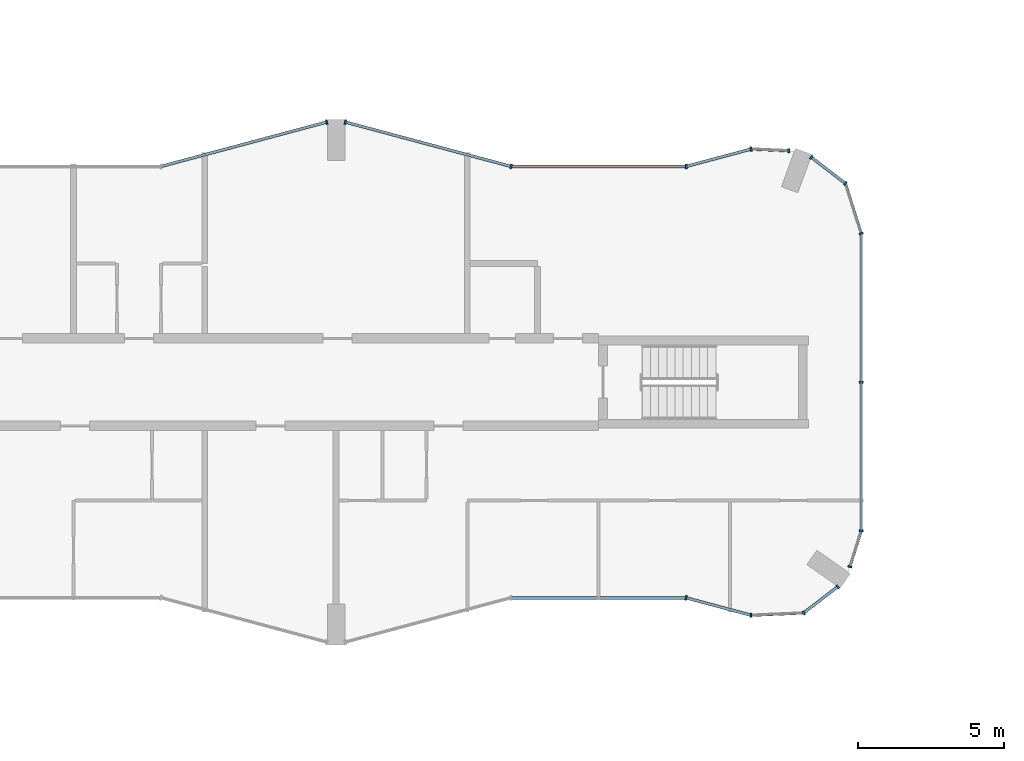
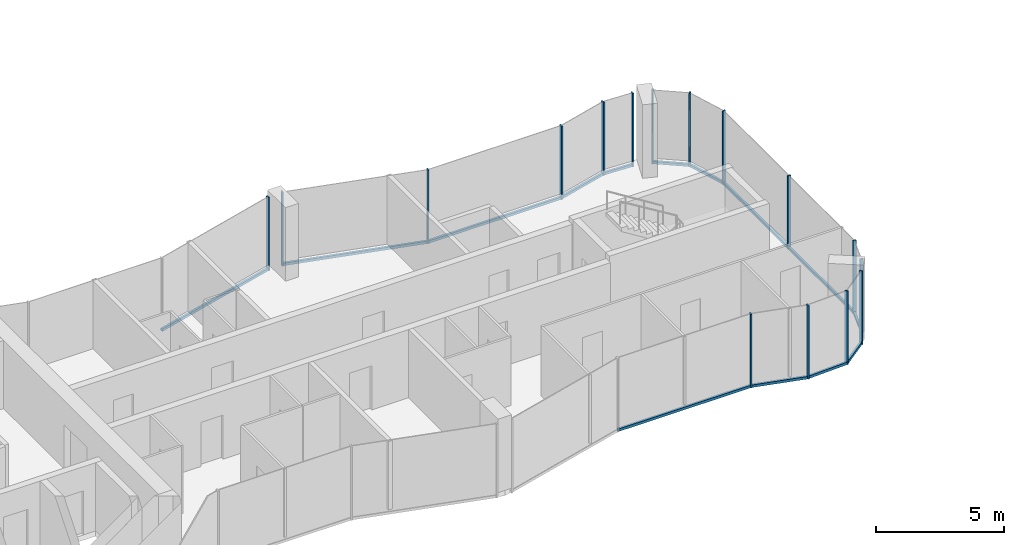
# One storey, part 5 of 22: 29 members, 13 elements without a shape of their own.
"""IFC4 building model written with IfcOpenShell, lengths in metres."""

from ifc_helpers import new_model, si_unit, direction, frame, origin, origin_2d, place, context, subcontext, project, spatial, rectangle, extrude, material, layer, layer_set, material_profile, profile_set, type_object, element, aggregate, save


model = new_model("IFC4")

# Units and contexts
model_context = context("Model", 3, precision=1e-05, world=origin(), true_north=direction((0.0, 1.0)))
body_context = subcontext(model_context, "Body", "Model", "MODEL_VIEW")
ifc_project = project(units=[si_unit("LENGTHUNIT", "METRE"), si_unit("AREAUNIT", "SQUARE_METRE"), si_unit("VOLUMEUNIT", "CUBIC_METRE"), si_unit("PLANEANGLEUNIT", "RADIAN"), si_unit("MASSUNIT", "GRAM", prefix="KILO")], contexts=[model_context])

# Site, building, storey
site_placement = place(None, origin())
site = spatial("IfcSite", under=ifc_project, at=site_placement, CompositionType="ELEMENT")
building_placement = place(site_placement, origin())
building = spatial("IfcBuilding", under=site, at=building_placement, Name="Plateau Cross Towers", CompositionType="ELEMENT")
storey_placement = place(building_placement, frame((0.0, 0.0, 109.800048828125)))
storey = spatial("IfcBuildingStorey", under=building, at=storey_placement, Name="L28", CompositionType="ELEMENT", Elevation=109.800048828125)

# Curtain wall, member
ifc_material_1 = material(Name="Dark low-iron glass", Category="glass")
ifc_layer_1 = layer(ifc_material_1, 0.239990234375)
ifc_layer_set_1 = layer_set([ifc_layer_1], Name="Dark low-iron glass")
curtain_wall_type_1 = type_object("IfcCurtainWallType", Name="Curtain wall flush unitised CW-B", PredefinedType="NOTDEFINED", material=ifc_layer_set_1)
curtain_wall_1_placement = place(storey_placement, origin())
curtain_wall_1 = element("IfcCurtainWall", 1, at=curtain_wall_1_placement, inside=storey, type_object=curtain_wall_type_1, Name="ENV/A/L28/A502_10", PredefinedType="NOTDEFINED")
ifc_material_2 = material(Name="Black anodised aluminium", Category="aluminium")
ifc_material_profile_1 = material_profile(ifc_material_2, rectangle(XDim=0.06005859375, YDim=0.139892578125, at=origin_2d()), Name="MULLION 60x140")
ifc_profile_set_1 = profile_set([ifc_material_profile_1], Name="Black anodised aluminium")
member_type_1 = type_object("IfcMemberType", Name="Mullion 60x140 flush unitised", PredefinedType="MULLION", material=ifc_profile_set_1)
member_1_placement = place(storey_placement, frame((50.223876953125, 1.01123046875, -0.25), z_axis=(0.0, 0.0, 1.0), x_axis=(0.999043701491, 0.043722791671, 0.0)))
member_1 = element("IfcMember", 2, at=member_1_placement, type_object=member_type_1, Name="CW-B mullion 1", PredefinedType="MULLION", context=body_context, shape_type="SweptSolid", body=[
    extrude(rectangle(XDim=0.06005859375, YDim=0.139892578125, at=origin_2d()), origin(), (0.0, 0.0, 1.0), 3.5),
])

# Curtain wall, members
curtain_wall_2_placement = place(storey_placement, origin())
curtain_wall_2 = element("IfcCurtainWall", 3, at=curtain_wall_2_placement, inside=storey, type_object=curtain_wall_type_1, Name="ENV/A/L28/A520_11", PredefinedType="NOTDEFINED")
member_2_placement = place(storey_placement, frame((52.0263671875, 1.090087890625, -0.25), z_axis=(0.0, 0.0, 1.0), x_axis=(0.793315514529, 0.608810721331, 0.0)))
member_2 = element("IfcMember", 4, at=member_2_placement, type_object=member_type_1, Name="CW-B mullion 1", PredefinedType="MULLION", context=body_context, shape_type="SweptSolid", body=[
    extrude(rectangle(XDim=0.06005859375, YDim=0.139892578125, at=origin_2d()), origin(), (0.0, 0.0, 1.0), 3.5),
])
member_3_placement = place(storey_placement, frame((53.193603515625, 1.986083984375, -0.25), z_axis=(0.0, 0.0, 1.0), x_axis=(0.793315514529, 0.608810721331, 0.0)))
member_3 = element("IfcMember", 5, at=member_3_placement, type_object=member_type_1, Name="CW-B mullion 2", PredefinedType="MULLION", context=body_context, shape_type="SweptSolid", body=[
    extrude(rectangle(XDim=0.06005859375, YDim=0.139892578125, at=origin_2d()), origin(), (0.0, 0.0, 1.0), 3.5),
])

# Curtain wall, member
curtain_wall_3_placement = place(storey_placement, origin())
curtain_wall_3 = element("IfcCurtainWall", 6, at=curtain_wall_3_placement, inside=storey, type_object=curtain_wall_type_1, Name="ENV/A/L28/A536_27", PredefinedType="NOTDEFINED")
member_4_placement = place(storey_placement, frame((53.611083984375, 2.67529296875, -0.25), z_axis=(0.0, 0.0, 1.0), x_axis=(0.300686174994, 0.95372313811, 0.0)))
member_4 = element("IfcMember", 7, at=member_4_placement, type_object=member_type_1, Name="CW-B mullion 1", PredefinedType="MULLION", context=body_context, shape_type="SweptSolid", body=[
    extrude(rectangle(XDim=0.06005859375, YDim=0.139892578125, at=origin_2d()), origin(), (0.0, 0.0, 1.0), 3.5),
])

# Curtain wall, members
curtain_wall_4_placement = place(storey_placement, origin())
curtain_wall_4 = element("IfcCurtainWall", 8, at=curtain_wall_4_placement, inside=storey, type_object=curtain_wall_type_1, Name="ENV/A/L28/A540_39", PredefinedType="NOTDEFINED")
member_5_placement = place(storey_placement, frame((54.0, 3.9091796875, -0.25), z_axis=(0.0, 0.0, 1.0), x_axis=(0.0, 1.0, 0.0)))
member_5 = element("IfcMember", 9, at=member_5_placement, type_object=member_type_1, Name="CW-B mullion 1", PredefinedType="MULLION", context=body_context, shape_type="SweptSolid", body=[
    extrude(rectangle(XDim=0.06005859375, YDim=0.139892578125, at=origin_2d()), origin(), (0.0, 0.0, 1.0), 3.5),
])
member_6_placement = place(storey_placement, frame((54.0, 9.0, -0.25), z_axis=(0.0, 0.0, 1.0), x_axis=(0.0, 1.0, 0.0)))
member_6 = element("IfcMember", 10, at=member_6_placement, type_object=member_type_1, Name="CW-B mullion 2", PredefinedType="MULLION", context=body_context, shape_type="SweptSolid", body=[
    extrude(rectangle(XDim=0.06005859375, YDim=0.139892578125, at=origin_2d()), origin(), (0.0, 0.0, 1.0), 3.5),
])

# Curtain wall, member
curtain_wall_5_placement = place(storey_placement, origin())
curtain_wall_5 = element("IfcCurtainWall", 11, at=curtain_wall_5_placement, inside=storey, type_object=curtain_wall_type_1, Name="ENV/A/L28/A540_141", PredefinedType="NOTDEFINED")
member_7_placement = place(storey_placement, frame((54.0, 14.0908203125, -0.25), z_axis=(0.0, 0.0, 1.0), x_axis=(-0.300686174994, 0.95372313811, 0.0)))
member_7 = element("IfcMember", 12, at=member_7_placement, type_object=member_type_1, Name="CW-B mullion 1", PredefinedType="MULLION", context=body_context, shape_type="SweptSolid", body=[
    extrude(rectangle(XDim=0.06005859375, YDim=0.139892578125, at=origin_2d()), origin(), (0.0, 0.0, 1.0), 3.5),
])

# Curtain wall, members
curtain_wall_6_placement = place(storey_placement, origin())
curtain_wall_6 = element("IfcCurtainWall", 13, at=curtain_wall_6_placement, inside=storey, type_object=curtain_wall_type_1, Name="ENV/A/L28/A535_158", PredefinedType="NOTDEFINED")
member_8_placement = place(storey_placement, frame((53.45751953125, 15.8115234375, -0.25), z_axis=(0.0, 0.0, 1.0), x_axis=(-0.793315514529, 0.608810721331, 0.0)))
member_8 = element("IfcMember", 14, at=member_8_placement, type_object=member_type_1, Name="CW-B mullion 1", PredefinedType="MULLION", context=body_context, shape_type="SweptSolid", body=[
    extrude(rectangle(XDim=0.06005859375, YDim=0.139892578125, at=origin_2d()), origin(), (0.0, 0.0, 1.0), 3.5),
])
member_9_placement = place(storey_placement, frame((52.290283203125, 16.707275390625, -0.25), z_axis=(0.0, 0.0, 1.0), x_axis=(-0.793315514529, 0.608810721331, 0.0)))
member_9 = element("IfcMember", 15, at=member_9_placement, type_object=member_type_1, Name="CW-B mullion 2", PredefinedType="MULLION", context=body_context, shape_type="SweptSolid", body=[
    extrude(rectangle(XDim=0.06005859375, YDim=0.139892578125, at=origin_2d()), origin(), (0.0, 0.0, 1.0), 3.5),
])

# Curtain wall, member
curtain_wall_7_placement = place(storey_placement, origin())
curtain_wall_7 = element("IfcCurtainWall", 16, at=curtain_wall_7_placement, inside=storey, type_object=curtain_wall_type_1, Name="ENV/A/L28/A515_169", PredefinedType="NOTDEFINED")
member_10_placement = place(storey_placement, frame((51.516357421875, 16.93212890625, -0.25), z_axis=(0.0, 0.0, 1.0), x_axis=(-0.999043701491, 0.043722791671, 0.0)))
member_10 = element("IfcMember", 17, at=member_10_placement, type_object=member_type_1, Name="CW-B mullion 1", PredefinedType="MULLION", context=body_context, shape_type="SweptSolid", body=[
    extrude(rectangle(XDim=0.06005859375, YDim=0.139892578125, at=origin_2d()), origin(), (0.0, 0.0, 1.0), 3.5),
])

ifc_layer_2 = layer(ifc_material_1, 0.260009765625)
ifc_layer_set_2 = layer_set([ifc_layer_2], Name="Dark low-iron glass")
curtain_wall_type_2 = type_object("IfcCurtainWallType", Name="Curtain wall fluted unitised CW-A", PredefinedType="NOTDEFINED", material=ifc_layer_set_2)
curtain_wall_8_placement = place(storey_placement, origin())
curtain_wall_8 = element("IfcCurtainWall", 18, at=curtain_wall_8_placement, inside=storey, type_object=curtain_wall_type_2, Name="ENV/A/L28/A480_16", PredefinedType="NOTDEFINED")
ifc_material_profile_2 = material_profile(ifc_material_2, rectangle(XDim=0.06005859375, YDim=0.159912109375, at=origin_2d()), Name="MULLION 60x160")
ifc_profile_set_2 = profile_set([ifc_material_profile_2], Name="Black anodised aluminium")
member_type_2 = type_object("IfcMemberType", Name="Mullion 60x160 fluted unitised", PredefinedType="MULLION", material=ifc_profile_set_2)
member_11_placement = place(storey_placement, frame((48.0, 1.60693359375, -0.25), z_axis=(0.0, 0.0, 1.0), x_axis=(0.965957962328, -0.258699081978, 0.0)))
member_11 = element("IfcMember", 19, at=member_11_placement, type_object=member_type_2, Name="CW-A mullion 1", PredefinedType="MULLION", context=body_context, shape_type="SweptSolid", body=[
    extrude(rectangle(XDim=0.06005859375, YDim=0.159912109375, at=origin_2d()), origin(), (0.0, 0.0, 1.0), 3.5),
])

curtain_wall_9_placement = place(storey_placement, origin())
curtain_wall_9 = element("IfcCurtainWall", 20, at=curtain_wall_9_placement, inside=storey, type_object=curtain_wall_type_2, Name="ENV/A/L28/A502_170", PredefinedType="NOTDEFINED")
member_12_placement = place(storey_placement, frame((50.223876953125, 16.98876953125, -0.25), z_axis=(0.0, 0.0, 1.0), x_axis=(-0.965957962328, -0.258699081978, 0.0)))
member_12 = element("IfcMember", 21, at=member_12_placement, type_object=member_type_2, Name="CW-A mullion 1", PredefinedType="MULLION", context=body_context, shape_type="SweptSolid", body=[
    extrude(rectangle(XDim=0.06005859375, YDim=0.159912109375, at=origin_2d()), origin(), (0.0, 0.0, 1.0), 3.5),
])

curtain_wall_10_placement = place(storey_placement, origin())
curtain_wall_10 = element("IfcCurtainWall", 22, at=curtain_wall_10_placement, inside=storey, type_object=curtain_wall_type_2, Name="ENV/A/L28/A480_164", PredefinedType="NOTDEFINED")
member_13_placement = place(storey_placement, frame((48.0, 16.39306640625, -0.25), z_axis=(0.0, 0.0, 1.0), x_axis=(-1.0, 0.0, 0.0)))
member_13 = element("IfcMember", 23, at=member_13_placement, type_object=member_type_2, Name="CW-A mullion 1", PredefinedType="MULLION", context=body_context, shape_type="SweptSolid", body=[
    extrude(rectangle(XDim=0.06005859375, YDim=0.159912109375, at=origin_2d()), origin(), (0.0, 0.0, 1.0), 3.5),
])

# Curtain wall, members
curtain_wall_11_placement = place(storey_placement, origin())
curtain_wall_11 = element("IfcCurtainWall", 24, at=curtain_wall_11_placement, inside=storey, type_object=curtain_wall_type_2, Name="ENV/A/L28/A420_164", PredefinedType="NOTDEFINED")
member_14_placement = place(storey_placement, frame((42.0, 16.39306640625, -0.25), z_axis=(0.0, 0.0, 1.0), x_axis=(-0.965957983404, 0.258699003279, 0.0)))
member_14 = element("IfcMember", 25, at=member_14_placement, type_object=member_type_2, Name="CW-A mullion 1", PredefinedType="MULLION", context=body_context, shape_type="SweptSolid", body=[
    extrude(rectangle(XDim=0.06005859375, YDim=0.159912109375, at=origin_2d()), origin(), (0.0, 0.0, 1.0), 3.5),
])
member_15_placement = place(storey_placement, frame((36.31787109375, 17.914794921875, -0.25), z_axis=(0.0, 0.0, 1.0), x_axis=(-0.965957983404, 0.258699003279, 0.0)))
member_15 = element("IfcMember", 26, at=member_15_placement, type_object=member_type_2, Name="CW-A mullion 2", PredefinedType="MULLION", context=body_context, shape_type="SweptSolid", body=[
    extrude(rectangle(XDim=0.06005859375, YDim=0.159912109375, at=origin_2d()), origin(), (0.0, 0.0, 1.0), 3.5),
])

# Curtain wall, member
curtain_wall_12_placement = place(storey_placement, origin())
curtain_wall_12 = element("IfcCurtainWall", 27, at=curtain_wall_12_placement, inside=storey, type_object=curtain_wall_type_2, Name="ENV/A/L28/A357_179", PredefinedType="NOTDEFINED")
member_16_placement = place(storey_placement, frame((35.68212890625, 17.914794921875, -0.25), z_axis=(0.0, 0.0, 1.0), x_axis=(-0.965957983404, -0.258699003279, 0.0)))
member_16 = element("IfcMember", 28, at=member_16_placement, type_object=member_type_2, Name="CW-A mullion 1", PredefinedType="MULLION", context=body_context, shape_type="SweptSolid", body=[
    extrude(rectangle(XDim=0.06005859375, YDim=0.159912109375, at=origin_2d()), origin(), (0.0, 0.0, 1.0), 3.5),
])

# Member
ifc_material_profile_3 = material_profile(ifc_material_2, rectangle(XDim=0.10009765625, YDim=0.1201171875, at=origin_2d()), Name="TRANSOM 100x120")
ifc_profile_set_3 = profile_set([ifc_material_profile_3], Name="Black anodised aluminium")
member_type_3 = type_object("IfcMemberType", Name="Transom 100x120 flush unitised", PredefinedType="USERDEFINED", material=ifc_profile_set_3)
member_17_placement = place(storey_placement, frame((50.223876953125, 1.01123046875, -0.18994140625), z_axis=(0.999044377355, 0.043707345779, 0.0), x_axis=(-0.043707345779, 0.999044377355, 0.0)))
member_17 = element("IfcMember", 29, at=member_17_placement, type_object=member_type_3, Name="CW-B transom", ObjectType="TRANSOM", PredefinedType="USERDEFINED", context=body_context, shape_type="SweptSolid", body=[
    extrude(rectangle(XDim=0.10009765625, YDim=0.1201171875, at=origin_2d()), origin(), (0.0, 0.0, 1.0), 1.80419921875),
])

aggregate(curtain_wall_1, [member_1, member_17])

member_18_placement = place(storey_placement, frame((52.0263671875, 1.090087890625, -0.18994140625), z_axis=(0.793240368515, 0.608908628415, 0.0), x_axis=(-0.608908628415, 0.793240368515, 0.0)))
member_18 = element("IfcMember", 30, at=member_18_placement, type_object=member_type_3, Name="CW-B transom", ObjectType="TRANSOM", PredefinedType="USERDEFINED", context=body_context, shape_type="SweptSolid", body=[
    extrude(rectangle(XDim=0.10009765625, YDim=0.1201171875, at=origin_2d()), origin(), (0.0, 0.0, 1.0), 1.471435546875),
])

aggregate(curtain_wall_2, [member_2, member_3, member_18])

member_19_placement = place(storey_placement, frame((53.611083984375, 2.67529296875, -0.18994140625), z_axis=(0.300616528216, 0.953745093284, 0.0), x_axis=(-0.953745093284, 0.300616528216, 0.0)))
member_19 = element("IfcMember", 31, at=member_19_placement, type_object=member_type_3, Name="CW-B transom", ObjectType="TRANSOM", PredefinedType="USERDEFINED", context=body_context, shape_type="SweptSolid", body=[
    extrude(rectangle(XDim=0.10009765625, YDim=0.1201171875, at=origin_2d()), origin(), (0.0, 0.0, 1.0), 1.293701171875),
])

aggregate(curtain_wall_3, [member_4, member_19])

member_20_placement = place(storey_placement, frame((54.0, 3.9091796875, -0.18994140625), z_axis=(0.0, 1.0, 0.0), x_axis=(-1.0, 0.0, 0.0)))
member_20 = element("IfcMember", 32, at=member_20_placement, type_object=member_type_3, Name="CW-B transom", ObjectType="TRANSOM", PredefinedType="USERDEFINED", context=body_context, shape_type="SweptSolid", body=[
    extrude(rectangle(XDim=0.10009765625, YDim=0.1201171875, at=origin_2d()), origin(), (0.0, 0.0, 1.0), 10.181640625),
])

aggregate(curtain_wall_4, [member_5, member_6, member_20])

member_21_placement = place(storey_placement, frame((54.0, 14.0908203125, -0.18994140625), z_axis=(-0.30067799945, 0.953725715626, 0.0), x_axis=(-0.953725715626, -0.30067799945, 0.0)))
member_21 = element("IfcMember", 33, at=member_21_placement, type_object=member_type_3, Name="CW-B transom", ObjectType="TRANSOM", PredefinedType="USERDEFINED", context=body_context, shape_type="SweptSolid", body=[
    extrude(rectangle(XDim=0.10009765625, YDim=0.1201171875, at=origin_2d()), origin(), (0.0, 0.0, 1.0), 1.80419921875),
])

aggregate(curtain_wall_5, [member_7, member_21])

member_22_placement = place(storey_placement, frame((53.45751953125, 15.8115234375, -0.18994140625), z_axis=(-0.793320508571, 0.608804213751, 0.0), x_axis=(-0.608804213751, -0.793320508571, 0.0)))
member_22 = element("IfcMember", 34, at=member_22_placement, type_object=member_type_3, Name="CW-B transom", ObjectType="TRANSOM", PredefinedType="USERDEFINED", context=body_context, shape_type="SweptSolid", body=[
    extrude(rectangle(XDim=0.10009765625, YDim=0.1201171875, at=origin_2d()), origin(), (0.0, 0.0, 1.0), 1.471435546875),
])

aggregate(curtain_wall_6, [member_8, member_9, member_22])

member_23_placement = place(storey_placement, frame((51.516357421875, 16.93212890625, -0.18994140625), z_axis=(-0.999041144614, 0.043781175963, 0.0), x_axis=(-0.043781175963, -0.999041144614, 0.0)))
member_23 = element("IfcMember", 35, at=member_23_placement, type_object=member_type_3, Name="CW-B transom", ObjectType="TRANSOM", PredefinedType="USERDEFINED", context=body_context, shape_type="SweptSolid", body=[
    extrude(rectangle(XDim=0.10009765625, YDim=0.1201171875, at=origin_2d()), origin(), (0.0, 0.0, 1.0), 1.293701171875),
])

aggregate(curtain_wall_7, [member_10, member_23])

# Curtain wall, member
curtain_wall_13_placement = place(storey_placement, origin())
curtain_wall_13 = element("IfcCurtainWall", 36, at=curtain_wall_13_placement, inside=storey, type_object=curtain_wall_type_2, Name="ENV/A/L28/A420_16", PredefinedType="NOTDEFINED")
ifc_material_profile_4 = material_profile(ifc_material_2, rectangle(XDim=0.10009765625, YDim=0.1201171875, at=origin_2d()), Name="TRANSOM 100x120")
ifc_profile_set_4 = profile_set([ifc_material_profile_4], Name="Black anodised aluminium")
member_type_4 = type_object("IfcMemberType", Name="Transom 100x120 fluted unitised", PredefinedType="USERDEFINED", material=ifc_profile_set_4)
member_24_placement = place(storey_placement, frame((42.0, 1.60693359375, -0.18994140625), z_axis=(1.0, 0.0, 0.0), x_axis=(0.0, 1.0, 0.0)))
member_24 = element("IfcMember", 37, at=member_24_placement, type_object=member_type_4, Name="CW-A transom", ObjectType="TRANSOM", PredefinedType="USERDEFINED", context=body_context, shape_type="SweptSolid", body=[
    extrude(rectangle(XDim=0.10009765625, YDim=0.1201171875, at=origin_2d()), origin(), (0.0, 0.0, 1.0), 6.0),
])
aggregate(curtain_wall_13, [member_24])

# Member
member_25_placement = place(storey_placement, frame((48.0, 1.60693359375, -0.18994140625), z_axis=(0.965945685136, -0.258744919501, 0.0), x_axis=(0.258744919501, 0.965945685136, 0.0)))
member_25 = element("IfcMember", 38, at=member_25_placement, type_object=member_type_4, Name="CW-A transom", ObjectType="TRANSOM", PredefinedType="USERDEFINED", context=body_context, shape_type="SweptSolid", body=[
    extrude(rectangle(XDim=0.10009765625, YDim=0.1201171875, at=origin_2d()), origin(), (0.0, 0.0, 1.0), 2.30224609375),
])

aggregate(curtain_wall_8, [member_11, member_25])

member_26_placement = place(storey_placement, frame((50.223876953125, 16.98876953125, -0.18994140625), z_axis=(-0.965945685136, -0.258744919501, 0.0), x_axis=(0.258744919501, -0.965945685136, 0.0)))
member_26 = element("IfcMember", 39, at=member_26_placement, type_object=member_type_4, Name="CW-A transom", ObjectType="TRANSOM", PredefinedType="USERDEFINED", context=body_context, shape_type="SweptSolid", body=[
    extrude(rectangle(XDim=0.10009765625, YDim=0.1201171875, at=origin_2d()), origin(), (0.0, 0.0, 1.0), 2.30224609375),
])

aggregate(curtain_wall_9, [member_12, member_26])

member_27_placement = place(storey_placement, frame((48.0, 16.39306640625, -0.18994140625), z_axis=(-1.0, 0.0, 0.0), x_axis=(0.0, -1.0, 0.0)))
member_27 = element("IfcMember", 40, at=member_27_placement, type_object=member_type_4, Name="CW-A transom", ObjectType="TRANSOM", PredefinedType="USERDEFINED", context=body_context, shape_type="SweptSolid", body=[
    extrude(rectangle(XDim=0.10009765625, YDim=0.1201171875, at=origin_2d()), origin(), (0.0, 0.0, 1.0), 6.0),
])

aggregate(curtain_wall_10, [member_13, member_27])

member_28_placement = place(storey_placement, frame((42.0, 16.39306640625, -0.18994140625), z_axis=(-0.965959534794, 0.258693210465, 0.0), x_axis=(-0.258693210465, -0.965959534794, 0.0)))
member_28 = element("IfcMember", 41, at=member_28_placement, type_object=member_type_4, Name="CW-A transom", ObjectType="TRANSOM", PredefinedType="USERDEFINED", context=body_context, shape_type="SweptSolid", body=[
    extrude(rectangle(XDim=0.10009765625, YDim=0.1201171875, at=origin_2d()), origin(), (0.0, 0.0, 1.0), 5.88232421875),
])

aggregate(curtain_wall_11, [member_14, member_15, member_28])

member_29_placement = place(storey_placement, frame((35.68212890625, 17.914794921875, -0.18994140625), z_axis=(-0.965959534794, -0.258693210465, 0.0), x_axis=(0.258693210465, -0.965959534794, 0.0)))
member_29 = element("IfcMember", 42, at=member_29_placement, type_object=member_type_4, Name="CW-A transom", ObjectType="TRANSOM", PredefinedType="USERDEFINED", context=body_context, shape_type="SweptSolid", body=[
    extrude(rectangle(XDim=0.10009765625, YDim=0.1201171875, at=origin_2d()), origin(), (0.0, 0.0, 1.0), 5.88232421875),
])

aggregate(curtain_wall_12, [member_16, member_29])

save(model, "model.ifc")
